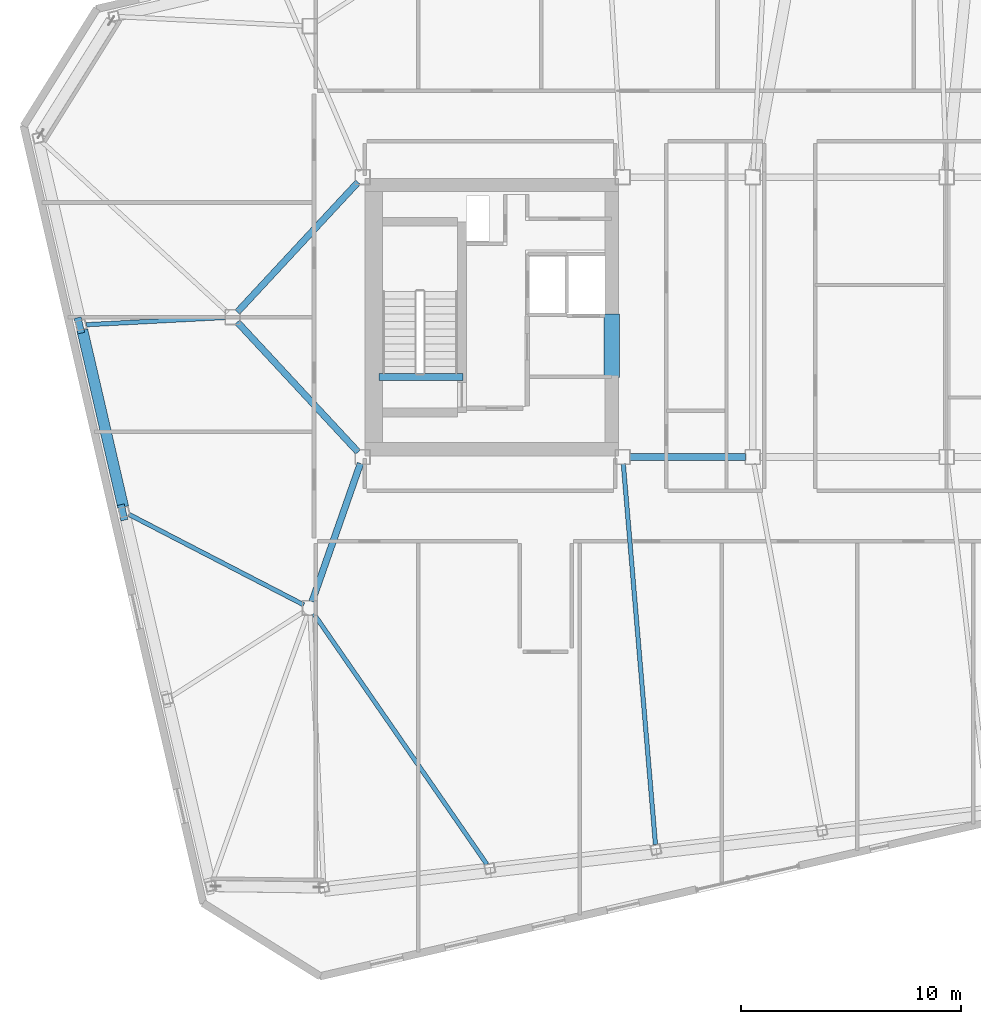
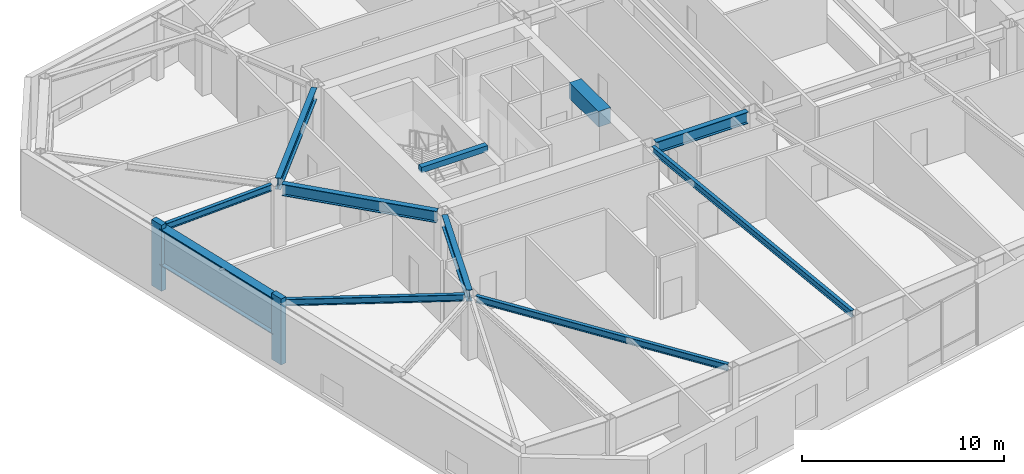
# One storey, part 6 of 23: 11 beams, 2 members.
"""IFC4 building model written with IfcOpenShell, lengths in metres."""

from ifc_helpers import new_model, si_unit, direction, frame, origin, origin_2d, place, context, subcontext, project, spatial, rectangle, i_section, extrude, material, material_profile, profile_set, type_object, element, save


model = new_model("IFC4")

# Units and contexts
model_context = context("Model", 3, precision=1e-05, world=origin(), true_north=direction((0.0, 1.0)))
body_context = subcontext(model_context, "Body", "Model", "MODEL_VIEW")
ifc_project = project(units=[si_unit("LENGTHUNIT", "METRE"), si_unit("AREAUNIT", "SQUARE_METRE"), si_unit("VOLUMEUNIT", "CUBIC_METRE"), si_unit("PLANEANGLEUNIT", "RADIAN"), si_unit("MASSUNIT", "GRAM", prefix="KILO")], contexts=[model_context])

# Site, building, storey
site_placement = place(None, origin())
site = spatial("IfcSite", under=ifc_project, at=site_placement, CompositionType="ELEMENT")
building_placement = place(site_placement, origin())
building = spatial("IfcBuilding", under=site, at=building_placement, Name="Tavrogorsk Clinical Tower", CompositionType="ELEMENT")
storey_placement = place(building_placement, frame((0.0, 0.0, 305.0)))
storey = spatial("IfcBuildingStorey", under=building, at=storey_placement, Name="L71", CompositionType="ELEMENT", Elevation=305.0)

# Beams
ifc_material_1 = material(Name="Concrete B80", Category="concrete")
ifc_material_profile_1 = material_profile(ifc_material_1, rectangle(XDim=0.699951171875, YDim=0.949951171875, at=origin_2d()), Name="RC-CB-700x950")
ifc_profile_set_1 = profile_set([ifc_material_profile_1], Name="Concrete B80")
beam_type_1 = type_object("IfcBeamType", Name="CouplingBeam_RC700x950", PredefinedType="LINTEL", material=ifc_profile_set_1)
beam_1_placement = place(storey_placement, frame((-10.800048828125, -2.75, 3.264892578125), z_axis=(0.0, 1.0, 0.0), x_axis=(-1.0, 0.0, 0.0)))
element("IfcBeam", 1, at=beam_1_placement, inside=storey, type_object=beam_type_1, Name="L71 Core West Coupling Beam", PredefinedType="LINTEL", context=body_context, shape_type="SweptSolid", body=[
    extrude(rectangle(XDim=0.699951171875, YDim=0.949951171875, at=origin_2d()), origin(), (0.0, 0.0, 1.0), 2.89990234375),
])
ifc_material_2 = material(Name="Structural steel S355", Category="steel")
ifc_material_profile_2 = material_profile(ifc_material_2, i_section(OverallWidth=0.199951171875, OverallDepth=0.39990234375, WebThickness=0.010498046875, FlangeThickness=0.01611328125, at=origin_2d()), Name="B-400x200x10.5x16")
ifc_profile_set_2 = profile_set([ifc_material_profile_2], Name="Structural steel S355")
beam_type_2 = type_object("IfcBeamType", Name="FloorBeam_B400", PredefinedType="BEAM", material=ifc_profile_set_2)
beam_2_placement = place(storey_placement, frame((-24.32373046875, -13.455078125, 3.5400390625), z_axis=(0.568335848504, -0.82279667191, 0.0), x_axis=(0.82279667191, 0.568335848504, 0.0)))
element("IfcBeam", 2, at=beam_2_placement, inside=storey, type_object=beam_type_2, Name="L71 Radial Floor Beam S2", PredefinedType="BEAM", context=body_context, shape_type="SweptSolid", body=[
    extrude(i_section(OverallWidth=0.199951171875, OverallDepth=0.39990234375, WebThickness=0.010498046875, FlangeThickness=0.01611328125, at=origin_2d()), origin(), (0.0, 0.0, 1.0), 13.831298828125),
])
beam_3_placement = place(storey_placement, frame((-10.27392578125, -6.658935546875, 3.5400390625), z_axis=(0.084215365049, -0.996447576288, 0.0), x_axis=(0.996447576288, 0.084215365049, 0.0)))
element("IfcBeam", 3, at=beam_3_placement, inside=storey, type_object=beam_type_2, Name="L71 Radial Floor Beam S3", PredefinedType="BEAM", context=body_context, shape_type="SweptSolid", body=[
    extrude(i_section(OverallWidth=0.199951171875, OverallDepth=0.39990234375, WebThickness=0.010498046875, FlangeThickness=0.01611328125, at=origin_2d()), origin(), (0.0, 0.0, 1.0), 17.3388671875),
])
beam_4_placement = place(storey_placement, frame((-28.3095703125, -0.01611328125, 3.5400390625), z_axis=(-0.99864101713, -0.052116397656, 0.0), x_axis=(0.052116397656, -0.99864101713, 0.0)))
element("IfcBeam", 4, at=beam_4_placement, inside=storey, type_object=beam_type_2, Name="L71 Radial Floor Beam W2", PredefinedType="BEAM", context=body_context, shape_type="SweptSolid", body=[
    extrude(i_section(OverallWidth=0.199951171875, OverallDepth=0.39990234375, WebThickness=0.010498046875, FlangeThickness=0.01611328125, at=origin_2d()), origin(), (0.0, 0.0, 1.0), 6.3427734375),
])
beam_5_placement = place(storey_placement, frame((-24.775390625, -13.0576171875, 3.5400390625), z_axis=(-0.888188417157, 0.459479418069, 0.0), x_axis=(-0.459479418069, -0.888188417157, 0.0)))
element("IfcBeam", 5, at=beam_5_placement, inside=storey, type_object=beam_type_2, Name="L71 Radial Floor Beam W3", PredefinedType="BEAM", context=body_context, shape_type="SweptSolid", body=[
    extrude(i_section(OverallWidth=0.199951171875, OverallDepth=0.39990234375, WebThickness=0.010498046875, FlangeThickness=0.01611328125, at=origin_2d()), origin(), (0.0, 0.0, 1.0), 8.93408203125),
])

# Members
ifc_material_3 = material(Name="Precast concrete B45 with limestone cladding", Category="masonry")
ifc_material_profile_3 = material_profile(ifc_material_3, rectangle(XDim=0.320068359375, YDim=0.719970703125, at=origin_2d()), Name="LIMESTONE-FIN-320x720")
ifc_profile_set_3 = profile_set([ifc_material_profile_3], Name="Precast concrete B45 with limestone cladding")
member_type = type_object("IfcMemberType", Name="LimestonePleatFin_320x720", PredefinedType="USERDEFINED", material=ifc_profile_set_3)
for number, where, z_axis, x_axis, name in (
    (6, (-34.95458984375, -0.376708984375, 0.0), (0.0, 0.0, 1.0), (0.974370064785, 0.224951054344, 0.0), "L71 W Pleated Stone Fin 1"),
    (7, (-32.995361328125, -8.863525390625, 0.0), (0.0, 0.0, 1.0), (0.974370064785, 0.224951054344, 0.0), "L71 W Pleated Stone Fin 2"),
):
    element("IfcMember", number, at=place(storey_placement, frame(where, z_axis=z_axis, x_axis=x_axis)), inside=storey, type_object=member_type, Name=name, ObjectType="FIN", PredefinedType="USERDEFINED", context=body_context, shape_type="SweptSolid", body=[
        extrude(rectangle(XDim=0.320068359375, YDim=0.719970703125, at=origin_2d()), origin(), (0.0, 0.0, 1.0), 4.0),
    ])

# Beams
ifc_material_4 = material(Name="Structural steel S390", Category="steel")
ifc_material_profile_4 = material_profile(ifc_material_4, i_section(OverallWidth=0.300048828125, OverallDepth=0.699951171875, WebThickness=0.01708984375, FlangeThickness=0.028076171875, at=origin_2d()), Name="B-700x300x17x28")
ifc_profile_set_4 = profile_set([ifc_material_profile_4], Name="Structural steel S390")
beam_type_3 = type_object("IfcBeamType", Name="PrimaryGirder_B700", PredefinedType="USERDEFINED", material=ifc_profile_set_4)
beam_6_placement = place(storey_placement, frame((-9.989990234375, -6.35009765625, 3.389892578125), z_axis=(1.0, 0.0, 0.0), x_axis=(0.0, 1.0, 0.0)))
element("IfcBeam", 8, at=beam_6_placement, inside=storey, type_object=beam_type_3, Name="L71 Primary Spine Girder MG-01", ObjectType="GIRDER", PredefinedType="USERDEFINED", context=body_context, shape_type="SweptSolid", body=[
    extrude(i_section(OverallWidth=0.300048828125, OverallDepth=0.699951171875, WebThickness=0.01708984375, FlangeThickness=0.028076171875, at=origin_2d()), origin(), (0.0, 0.0, 1.0), 5.280029296875),
])
beam_7_placement = place(storey_placement, frame((-24.3974609375, -12.907470703125, 3.389892578125), z_axis=(0.330666578092, 0.943747643246, 0.0), x_axis=(-0.943747643246, 0.330666578092, 0.0)))
element("IfcBeam", 9, at=beam_7_placement, inside=storey, type_object=beam_type_3, Name="L71 Spine Link Girder OPG-1", ObjectType="GIRDER", PredefinedType="USERDEFINED", context=body_context, shape_type="SweptSolid", body=[
    extrude(i_section(OverallWidth=0.300048828125, OverallDepth=0.699951171875, WebThickness=0.01708984375, FlangeThickness=0.028076171875, at=origin_2d()), origin(), (0.0, 0.0, 1.0), 6.638427734375),
])
for number, where, z_axis, x_axis, name in (
    (10, (-27.7890625, -0.22705078125, 3.389892578125), (0.680677963005, -0.732582767119, 0.0), (0.732582767119, 0.680677963005, 0.0), "L71 Spine Link Girder OPG-5"),
    (11, (-27.7890625, 0.22705078125, 3.389892578125), (0.680677963005, 0.732582767119, 0.0), (-0.732582767119, 0.680677963005, 0.0), "L71 Spine Link Girder OPG-6"),
):
    element("IfcBeam", number, at=place(storey_placement, frame(where, z_axis=z_axis, x_axis=x_axis)), inside=storey, type_object=beam_type_3, Name=name, ObjectType="GIRDER", PredefinedType="USERDEFINED", context=body_context, shape_type="SweptSolid", body=[
        extrude(i_section(OverallWidth=0.300048828125, OverallDepth=0.699951171875, WebThickness=0.01708984375, FlangeThickness=0.028076171875, at=origin_2d()), origin(), (0.0, 0.0, 1.0), 8.0478515625),
    ])
ifc_material_5 = material(Name="Concrete B60", Category="concrete")
ifc_material_profile_5 = material_profile(ifc_material_5, rectangle(XDim=0.300048828125, YDim=0.35009765625, at=origin_2d()), Name="RC-SHB-300x350")
ifc_profile_set_5 = profile_set([ifc_material_profile_5], Name="Concrete B60")
beam_type_4 = type_object("IfcBeamType", Name="StairHeaderBeam_RC300x350", PredefinedType="BEAM", material=ifc_profile_set_5)
beam_8_placement = place(storey_placement, frame((-21.35009765625, -2.719970703125, 3.824951171875), z_axis=(1.0, 0.0, 0.0), x_axis=(0.0, 1.0, 0.0)))
element("IfcBeam", 12, at=beam_8_placement, inside=storey, type_object=beam_type_4, Name="L72 ST-W Landing Header Beam", PredefinedType="BEAM", context=body_context, shape_type="SweptSolid", body=[
    extrude(rectangle(XDim=0.300048828125, YDim=0.35009765625, at=origin_2d()), origin(), (0.0, 0.0, 1.0), 3.800048828125),
])
ifc_material_6 = material(Name="Structural steel S440", Category="steel")
ifc_material_profile_6 = material_profile(ifc_material_6, i_section(OverallWidth=0.5, OverallDepth=2.199951171875, WebThickness=0.035888671875, FlangeThickness=0.054931640625, at=origin_2d()), Name="DK-2200x500x36x55")
ifc_profile_set_6 = profile_set([ifc_material_profile_6], Name="Structural steel S440")
beam_type_5 = type_object("IfcBeamType", Name="TransferGirder_DK2200", PredefinedType="USERDEFINED", material=ifc_profile_set_6)
beam_9_placement = place(storey_placement, frame((-34.82421875, -0.585693359375, 2.639892578125), z_axis=(0.224950345141, -0.974370228517, 0.0), x_axis=(0.974370228517, 0.224950345141, 0.0)))
element("IfcBeam", 13, at=beam_9_placement, inside=storey, type_object=beam_type_5, Name="L71 Perimeter Spandrel W2-W3", ObjectType="GIRDER", PredefinedType="USERDEFINED", context=body_context, shape_type="SweptSolid", body=[
    extrude(i_section(OverallWidth=0.5, OverallDepth=2.199951171875, WebThickness=0.035888671875, FlangeThickness=0.054931640625, at=origin_2d()), origin(), (0.0, 0.0, 1.0), 8.243896484375),
])

save(model, "model.ifc")
